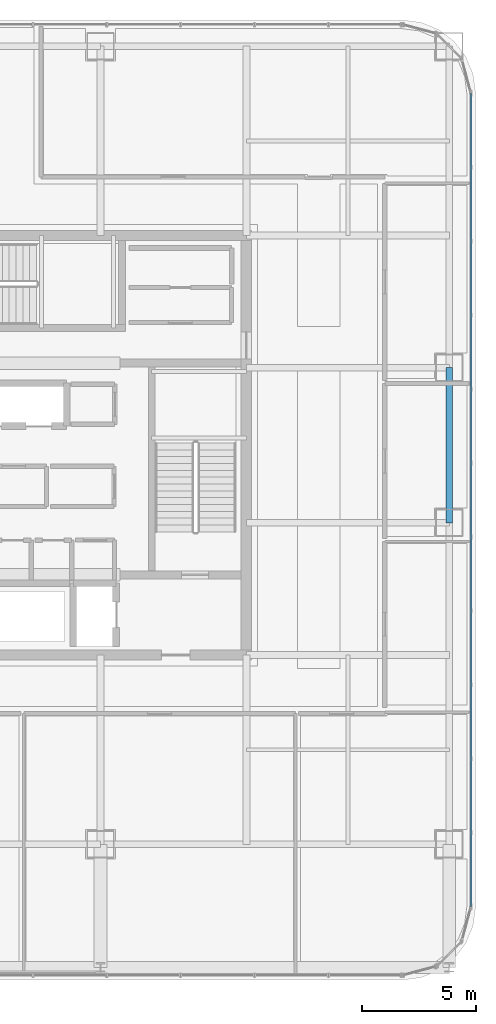
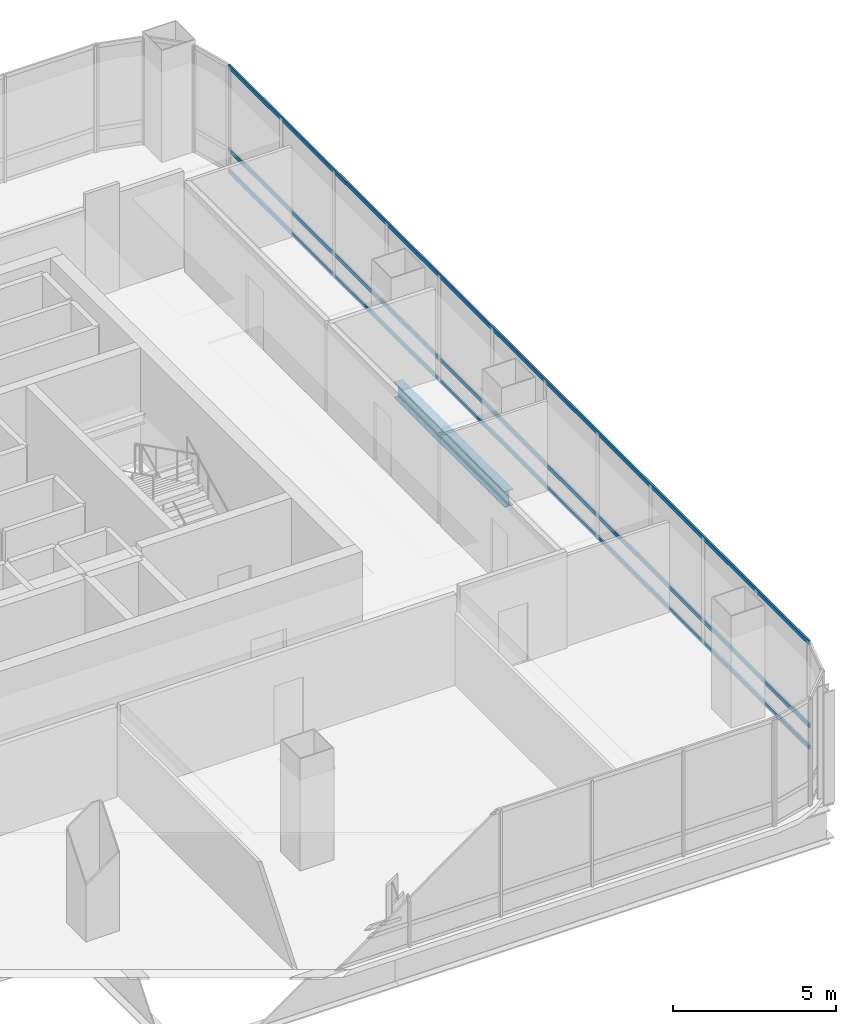
# One storey, part 21 of 43: 3 members, 1 beam, 1 element without a shape of its own.
"""IFC4 building model written with IfcOpenShell, lengths in metres."""

import ifcopenshell
import ifcopenshell.guid

model = None  # the IFC model being written
_history = None  # IfcOwnerHistory: only IFC2X3 demands one
_inside = {}  # id of a spatial element -> (the spatial element, [elements in it])
_under = {}  # id of a project, library or spatial element -> (it, [spatial elements below it])
_declared = {}  # id of a project -> (the project, [libraries it declares])
_typed = {}  # id of a type object -> (the type object, [elements of that type])
_made_of = {}  # id of a material, layer set ... -> (it, [elements and type objects made of it])


def new_model(schema):
    """Start an empty IFC model of exactly this schema.

    Asked for "IFC4X3", IfcOpenShell would pick the latest addendum, in which some entities
    have other attributes; the version numbers below select the first issue.
    IFC2X3 requires an IfcOwnerHistory on every rooted entity: one is made here for all.
    """
    global model, _history
    if schema == "IFC4X3":
        model = ifcopenshell.file(schema_version=(4, 3, 0, 0))
    else:
        model = ifcopenshell.file(schema=schema)
    _inside.clear()
    _under.clear()
    _declared.clear()
    _typed.clear()
    _made_of.clear()
    _history = None
    if model.schema == "IFC2X3":
        org = make("IfcOrganization", Name="unknown")
        user = make(
            "IfcPersonAndOrganization",
            ThePerson=make("IfcPerson", FamilyName="unknown"),
            TheOrganization=org,
        )
        app = make(
            "IfcApplication",
            ApplicationDeveloper=org,
            Version="unknown",
            ApplicationFullName="unknown",
            ApplicationIdentifier="unknown",
        )
        _history = make(
            "IfcOwnerHistory",
            OwningUser=user,
            OwningApplication=app,
            ChangeAction="ADDED",
            CreationDate=0,
        )
    return model


def make(cls, **values):
    """One entity of the class cls with the attributes given. An attribute that is None is left unset."""
    return model.create_entity(
        cls, **{name: value for name, value in values.items() if value is not None}
    )


def rooted(cls, **values):
    """An entity with a GlobalId (a new one), such as an element, a storey or a relation."""
    return make(cls, GlobalId=ifcopenshell.guid.new(), OwnerHistory=_history, **values)


def si_unit(unit_type, name, prefix=None):
    """IfcSIUnit, for example si_unit("LENGTHUNIT", "METRE", prefix="MILLI")."""
    return make("IfcSIUnit", UnitType=unit_type, Prefix=prefix, Name=name)


def assignment(units):
    """IfcUnitAssignment: the units of a project."""
    return None if units is None else make("IfcUnitAssignment", Units=units)


def point(xyz):
    """IfcCartesianPoint."""
    return None if xyz is None else make("IfcCartesianPoint", Coordinates=xyz)


def direction(xyz):
    """IfcDirection."""
    return None if xyz is None else make("IfcDirection", DirectionRatios=xyz)


def frame(location, z_axis=None, x_axis=None):
    """IfcAxis2Placement3D, a coordinate frame: its origin and axes. An axis left out is left unset."""
    return make(
        "IfcAxis2Placement3D",
        Location=point(location),
        Axis=direction(z_axis),
        RefDirection=direction(x_axis),
    )


def frame_2d(location, x_axis=None):
    """IfcAxis2Placement2D, a coordinate frame in the plane: its origin and x axis."""
    return make(
        "IfcAxis2Placement2D", Location=point(location), RefDirection=direction(x_axis)
    )


def origin():
    """The frame at (0, 0, 0) with its axes left unset."""
    return frame((0.0, 0.0, 0.0))


def origin_2d():
    """The frame at (0, 0) in the plane with its x axis left unset."""
    return frame_2d((0.0, 0.0))


def place(relative_to, where):
    """IfcLocalPlacement: puts the frame where relative to a parent placement (None: the world)."""
    return make(
        "IfcLocalPlacement", PlacementRelTo=relative_to, RelativePlacement=where
    )


def context(
    kind, dimensions, precision=None, world=None, true_north=None, identifier=None
):
    """IfcGeometricRepresentationContext, for example the 3D "Model" context."""
    return make(
        "IfcGeometricRepresentationContext",
        ContextIdentifier=identifier,
        ContextType=kind,
        CoordinateSpaceDimension=dimensions,
        Precision=precision,
        WorldCoordinateSystem=world,
        TrueNorth=true_north,
    )


def subcontext(parent, identifier, kind, view, scale=None):
    """IfcGeometricRepresentationSubContext, for example "Body" below "Model"."""
    return make(
        "IfcGeometricRepresentationSubContext",
        ContextIdentifier=identifier,
        ContextType=kind,
        ParentContext=parent,
        TargetScale=scale,
        TargetView=view,
    )


def project(units=None, contexts=None):
    """IfcProject with its units and contexts."""
    return rooted(
        "IfcProject",
        Name="project",
        RepresentationContexts=contexts,
        UnitsInContext=assignment(units),
    )


def spatial(cls, under=None, at=None, **own):
    """A site, building, storey or space (cls), placed at a placement, below another one or the project."""
    s = rooted(cls, ObjectPlacement=at, **own)
    if under is not None:
        _under.setdefault(under.id(), (under, []))[1].append(s)
    return s


def profile(cls, at=None, kind="AREA", **sizes):
    """A parametric profile (cls). Its sizes go by their IFC names, for example OverallWidth=200.0."""
    return make(cls, ProfileType=kind, Position=at, **sizes)


def hollow_rectangle(**sizes):
    """IfcRectangleHollowProfileDef."""
    return profile("IfcRectangleHollowProfileDef", **sizes)


def i_section(**sizes):
    """IfcIShapeProfileDef."""
    return profile("IfcIShapeProfileDef", **sizes)


def extrude(swept, where, along, depth):
    """IfcExtrudedAreaSolid: the profile swept, set in the frame where, extruded along a direction by depth."""
    return make(
        "IfcExtrudedAreaSolid",
        SweptArea=swept,
        Position=where,
        ExtrudedDirection=direction(along),
        Depth=depth,
    )


def shape(context_of_items, identifier, shape_type, items):
    """IfcShapeRepresentation: the items that make up one representation, for example the "Body"."""
    return make(
        "IfcShapeRepresentation",
        ContextOfItems=context_of_items,
        RepresentationIdentifier=identifier,
        RepresentationType=shape_type,
        Items=items,
    )


def material(Name=None, Category=None):
    """IfcMaterial."""
    return make("IfcMaterial", Name=Name, Category=Category)


def material_profile(
    of_material, cross_section, Name=None, Category=None, Priority=None
):
    """IfcMaterialProfile: a cross section and its material."""
    return make(
        "IfcMaterialProfile",
        Name=Name,
        Material=of_material,
        Profile=cross_section,
        Priority=Priority,
        Category=Category,
    )


def profile_set(profiles, Name=None, composite=None):
    """IfcMaterialProfileSet."""
    return make(
        "IfcMaterialProfileSet",
        Name=Name,
        MaterialProfiles=profiles,
        CompositeProfile=composite,
    )


def made_of(thing, what):
    """Note that an element or type object is made of a material, layer set ...; save() writes the relation."""
    if what is not None:
        _made_of.setdefault(what.id(), (what, []))[1].append(thing)
    return thing


def type_object(cls, material=None, **own):
    """A type object (cls), such as IfcWallType, which elements share."""
    return made_of(rooted(cls, **own), material)


def element(
    cls,
    number,
    at=None,
    inside=None,
    cuts=None,
    type_object=None,
    material=None,
    context=None,
    identifier="Body",
    shape_type=None,
    held_by="IfcProductDefinitionShape",
    body=None,
    shapes=None,
    **own,
):
    """One element of the class cls, such as IfcWall. Its Tag is "e" and its number.

    at: its placement. inside: the storey or other place that contains it. cuts: it is an
    opening in that element (IfcRelVoidsElement). A single representation is given by context,
    identifier, shape_type and body (its items); several are given by shapes. held_by: the class
    of the entity that holds the representations. save() writes the other relations.
    """
    e = rooted(cls, Tag="e%d" % number, ObjectPlacement=at, **own)
    if body is not None:
        shapes = [shape(context, identifier, shape_type, body)]
    if shapes is not None:
        e.Representation = make(held_by, Representations=shapes)
    if inside is not None:
        _inside.setdefault(inside.id(), (inside, []))[1].append(e)
    if cuts is not None:
        rooted(
            "IfcRelVoidsElement", RelatingBuildingElement=cuts, RelatedOpeningElement=e
        )
    if type_object is not None:
        _typed.setdefault(type_object.id(), (type_object, []))[1].append(e)
    return made_of(e, material)


def aggregate(whole, parts):
    """IfcRelAggregates: a whole, such as a stair, and the parts it consists of."""
    return rooted("IfcRelAggregates", RelatingObject=whole, RelatedObjects=parts)


def save(model, path):
    """Write the relations noted so far, then the file.

    IfcRelAggregates (storeys below a building ...), IfcRelContainedInSpatialStructure (elements
    in a storey), IfcRelDefinesByType, IfcRelAssociatesMaterial and IfcRelDeclares: one each for
    every whole, place, type object, material and project.
    """
    for whole, parts in _under.values():
        aggregate(whole, parts)
    for where, things in _inside.values():
        rooted(
            "IfcRelContainedInSpatialStructure",
            RelatedElements=things,
            RelatingStructure=where,
        )
    for kind, things in _typed.values():
        rooted("IfcRelDefinesByType", RelatedObjects=things, RelatingType=kind)
    for what, things in _made_of.values():
        rooted("IfcRelAssociatesMaterial", RelatedObjects=things, RelatingMaterial=what)
    for by, libraries in _declared.values():
        rooted("IfcRelDeclares", RelatingContext=by, RelatedDefinitions=libraries)
    model.write(path)


model = new_model("IFC4")

# Units and contexts
model_context = context("Model", 3, precision=1e-05, world=origin(), true_north=direction((0.0, 1.0)))
body_context = subcontext(model_context, "Body", "Model", "MODEL_VIEW")
ifc_project = project(units=[si_unit("LENGTHUNIT", "METRE"), si_unit("AREAUNIT", "SQUARE_METRE"), si_unit("VOLUMEUNIT", "CUBIC_METRE"), si_unit("PLANEANGLEUNIT", "RADIAN"), si_unit("MASSUNIT", "GRAM", prefix="KILO")], contexts=[model_context])

# Site, building, storey
site_placement = place(None, origin())
site = spatial("IfcSite", under=ifc_project, at=site_placement, CompositionType="ELEMENT")
building_placement = place(site_placement, origin())
building = spatial("IfcBuilding", under=site, at=building_placement, Name="Punatoya Terracotta Tower", CompositionType="ELEMENT")
storey_placement = place(building_placement, frame((0.0, 0.0, 321.60009765625)))
storey = spatial("IfcBuildingStorey", under=building, at=storey_placement, Name="L76", CompositionType="ELEMENT", Elevation=321.60009765625)

# Beam
ifc_material_1 = material(Name="Steel S355", Category="steel")
ifc_material_profile_1 = material_profile(ifc_material_1, i_section(OverallWidth=0.300048828125, OverallDepth=0.60009765625, WebThickness=0.015380859375, FlangeThickness=0.030029296875, FilletRadius=0.01806640625, at=origin_2d()))
ifc_profile_set_1 = profile_set([ifc_material_profile_1], Name="Steel S355")
beam_type = type_object("IfcBeamType", Name="BM-PRI-600", PredefinedType="BEAM", material=ifc_profile_set_1)
beam_placement = place(storey_placement, frame((19.10009765625, -3.39990234375, -0.5), z_axis=(0.0, 1.0, 0.0), x_axis=(-1.0, 0.0, 0.0)))
element("IfcBeam", 1, at=beam_placement, inside=storey, type_object=beam_type, Name="BM-L76-RG-E2", PredefinedType="BEAM", context=body_context, shape_type="SweptSolid", body=[
    extrude(i_section(OverallWidth=0.300048828125, OverallDepth=0.60009765625, WebThickness=0.015380859375, FlangeThickness=0.030029296875, FilletRadius=0.01806640625, at=origin_2d()), origin(), (0.0, 0.0, 1.0), 6.7998046875),
])

# Curtain wall, members
ifc_material_2 = material(Name="Aluminium 6063-T6 + Double Low-E Glass", Category="aluminium")
curtain_wall_type = type_object("IfcCurtainWallType", Name="CW-OBS", PredefinedType="NOTDEFINED", material=ifc_material_2)
curtain_wall_placement = place(storey_placement, origin())
curtain_wall = element("IfcCurtainWall", 2, at=curtain_wall_placement, inside=storey, type_object=curtain_wall_type, Name="L76 Curtain Wall CW-L76-E05-1", PredefinedType="NOTDEFINED")
ifc_material_3 = material(Name="Aluminium 6063-T6", Category="aluminium")
ifc_material_profile_2 = material_profile(ifc_material_3, hollow_rectangle(XDim=0.068115234375, YDim=0.14990234375, WallThickness=0.00390625, at=origin_2d()))
ifc_profile_set_2 = profile_set([ifc_material_profile_2], Name="Aluminium 6063-T6")
member_type = type_object("IfcMemberType", Name="CW-TRN-TYP", PredefinedType="USERDEFINED", material=ifc_profile_set_2)
member_1_placement = place(storey_placement, frame((20.050048828125, -20.23681640625, 0.039794921875), z_axis=(0.0, 1.0, 0.0), x_axis=(-1.0, 0.0, 0.0)))
member_1 = element("IfcMember", 3, at=member_1_placement, type_object=member_type, Name="CW-L76-E05-1 Transom 1", ObjectType="TRANSOM", PredefinedType="USERDEFINED", context=body_context, shape_type="SweptSolid", body=[
    extrude(hollow_rectangle(XDim=0.068115234375, YDim=0.14990234375, WallThickness=0.00390625, at=origin_2d()), origin(), (0.0, 0.0, 1.0), 35.673828125),
])
member_2_placement = place(storey_placement, frame((20.050048828125, -20.23681640625, 0.849853515625), z_axis=(0.0, 1.0, 0.0), x_axis=(-1.0, 0.0, 0.0)))
member_2 = element("IfcMember", 4, at=member_2_placement, type_object=member_type, Name="CW-L76-E05-1 Transom 2", ObjectType="TRANSOM", PredefinedType="USERDEFINED", context=body_context, shape_type="SweptSolid", body=[
    extrude(hollow_rectangle(XDim=0.068115234375, YDim=0.14990234375, WallThickness=0.00390625, at=origin_2d()), origin(), (0.0, 0.0, 1.0), 35.673828125),
])
member_3_placement = place(storey_placement, frame((20.050048828125, -20.23681640625, 3.9599609375), z_axis=(0.0, 1.0, 0.0), x_axis=(-1.0, 0.0, 0.0)))
member_3 = element("IfcMember", 5, at=member_3_placement, type_object=member_type, Name="CW-L76-E05-1 Transom 3", ObjectType="TRANSOM", PredefinedType="USERDEFINED", context=body_context, shape_type="SweptSolid", body=[
    extrude(hollow_rectangle(XDim=0.068115234375, YDim=0.14990234375, WallThickness=0.00390625, at=origin_2d()), origin(), (0.0, 0.0, 1.0), 35.673828125),
])
aggregate(curtain_wall, [member_1, member_2, member_3])

save(model, "model.ifc")
